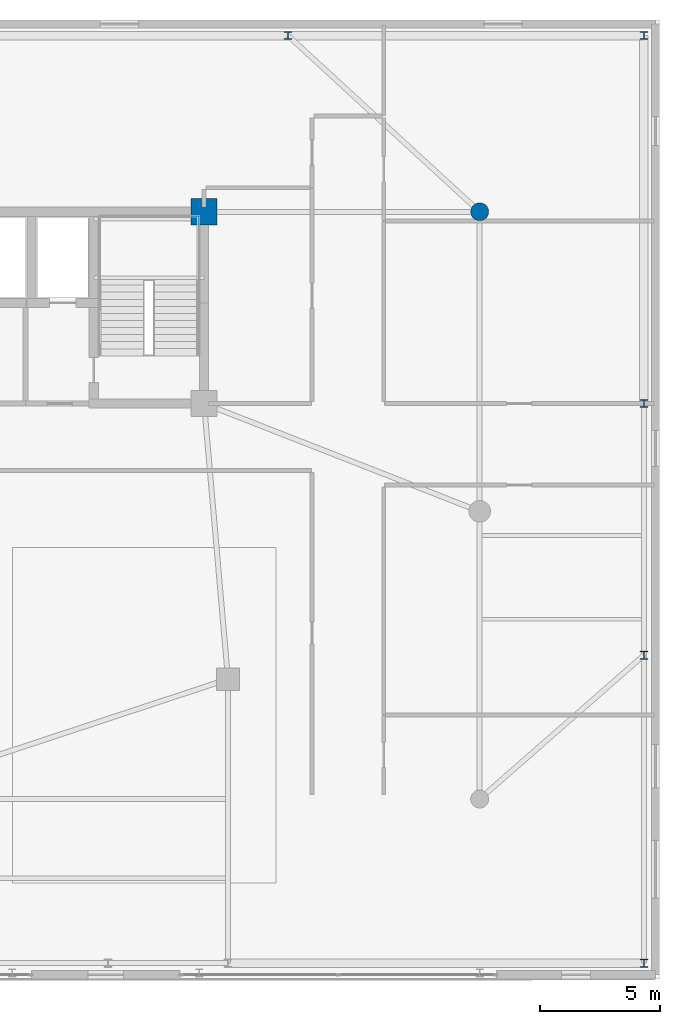
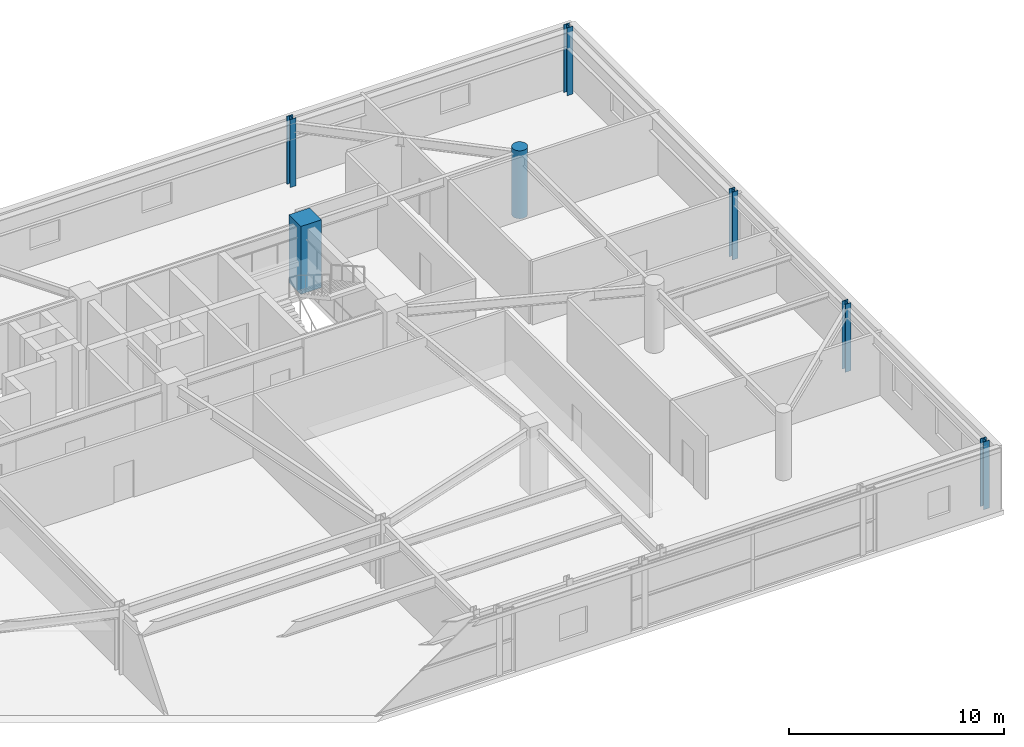
# One storey, part 5 of 26: 7 columns.
"""IFC4 building model written with IfcOpenShell, lengths in metres."""

from ifc_helpers import new_model, si_unit, direction, frame, origin, origin_2d, place, context, subcontext, project, spatial, rectangle, circle, i_section, extrude, source, transform, mapped, material, material_profile, profile_set, type_object, element, save


model = new_model("IFC4")

# Units and contexts
model_context = context("Model", 3, precision=1e-05, world=origin(), true_north=direction((0.0, 1.0)))
body_context = subcontext(model_context, "Body", "Model", "MODEL_VIEW")
ifc_project = project(units=[si_unit("LENGTHUNIT", "METRE"), si_unit("AREAUNIT", "SQUARE_METRE"), si_unit("VOLUMEUNIT", "CUBIC_METRE"), si_unit("PLANEANGLEUNIT", "RADIAN"), si_unit("MASSUNIT", "GRAM", prefix="KILO")], contexts=[model_context])

# Site, building, storey
site_placement = place(None, origin())
site = spatial("IfcSite", under=ifc_project, at=site_placement, CompositionType="ELEMENT")
building_placement = place(site_placement, origin())
building = spatial("IfcBuilding", under=site, at=building_placement, Name="Taldren Reach Tower", CompositionType="ELEMENT")
storey_placement = place(building_placement, frame((0.0, 0.0, 4.550048828125)))
storey = spatial("IfcBuildingStorey", under=building, at=storey_placement, Name="L01", CompositionType="ELEMENT", Elevation=4.550048828125)

# Columns
ifc_material_1 = material(Name="Concrete S100 (100 MPa)", Category="concrete")
ifc_material_profile_1 = material_profile(ifc_material_1, rectangle(XDim=1.10009765625, YDim=1.10009765625, at=origin_2d()), Name="RC-1100x1100")
ifc_profile_set_1 = profile_set([ifc_material_profile_1], Name="Concrete S100 (100 MPa)")
column_type_1 = type_object("IfcColumnType", Name="COL-RC1100", PredefinedType="COLUMN", material=ifc_profile_set_1)
shared_shape_1 = source(origin(), body_context, "Body", "SweptSolid", [
    extrude(rectangle(XDim=1.10009765625, YDim=1.10009765625, at=origin_2d()), origin(), (0.0, 0.0, 1.0), 3.849853515625),
])
column_1_placement = place(storey_placement, frame((51.0, 32.0, 0.0), z_axis=(0.0, 0.0, 1.0), x_axis=(1.0, 0.0, 0.0)))
element("IfcColumn", 1, at=column_1_placement, inside=storey, type_object=column_type_1, Name="Mega column MC-C8 L01", PredefinedType="COLUMN", context=body_context, shape_type="MappedRepresentation", body=[
    mapped(shared_shape_1, transform((0.0, 0.0, 0.0), scale=1.0)),
])
ifc_material_2 = material(Name="Concrete S65 (65 MPa)", Category="concrete")
ifc_material_profile_2 = material_profile(ifc_material_2, circle(Radius=0.375, at=origin_2d()), Name="RC-750D")
ifc_profile_set_2 = profile_set([ifc_material_profile_2], Name="Concrete S65 (65 MPa)")
column_type_2 = type_object("IfcColumnType", Name="COL-RCD750", PredefinedType="COLUMN", material=ifc_profile_set_2)
shared_shape_2 = source(origin(), body_context, "Body", "SweptSolid", [
    extrude(circle(Radius=0.375, at=origin_2d()), origin(), (0.0, 0.0, 1.0), 3.849853515625),
])
column_2_placement = place(storey_placement, frame((62.5, 32.0, 0.0), z_axis=(0.0, 0.0, 1.0), x_axis=(1.0, 0.0, 0.0)))
element("IfcColumn", 2, at=column_2_placement, inside=storey, type_object=column_type_2, Name="Podium structural column PG-6 L01", PredefinedType="COLUMN", context=body_context, shape_type="MappedRepresentation", body=[
    mapped(shared_shape_2, transform((0.0, 0.0, 0.0), scale=1.0)),
])
ifc_material_3 = material(Name="Steel Gr 350 (350PLUS)", Category="steel")
ifc_material_profile_3 = material_profile(ifc_material_3, i_section(OverallWidth=0.31103515625, OverallDepth=0.326904296875, WebThickness=0.015625, FlangeThickness=0.02490234375, at=origin_2d()), Name="310UC158")
ifc_profile_set_3 = profile_set([ifc_material_profile_3], Name="Steel Gr 350 (350PLUS)")
column_type_3 = type_object("IfcColumnType", Name="COL-UC310A", PredefinedType="COLUMN", material=ifc_profile_set_3)
shared_shape_3 = source(origin(), body_context, "Body", "SweptSolid", [
    extrude(i_section(OverallWidth=0.31103515625, OverallDepth=0.326904296875, WebThickness=0.015625, FlangeThickness=0.02490234375, at=origin_2d()), origin(), (0.0, 0.0, 1.0), 3.849853515625),
])
for number, where, z_axis, x_axis, name in (
    (3, (69.35009765625, 0.64990234375, 0.0), (0.0, 0.0, 1.0), (1.0, 0.0, 0.0), "Podium structural column PP-E1 L01"),
    (4, (69.35009765625, 13.5, 0.0), (0.0, 0.0, 1.0), (1.0, 0.0, 0.0), "Podium structural column PP-E2 L01"),
    (5, (69.35009765625, 24.0, 0.0), (0.0, 0.0, 1.0), (1.0, 0.0, 0.0), "Podium structural column PP-E3 L01"),
    (6, (69.35009765625, 39.35009765625, 0.0), (0.0, 0.0, 1.0), (1.0, 0.0, 0.0), "Podium structural column PP-E4 L01"),
    (7, (54.5, 39.35009765625, 0.0), (0.0, 0.0, 1.0), (1.0, 0.0, 0.0), "Podium structural column PP-N3 L01"),
):
    element("IfcColumn", number, at=place(storey_placement, frame(where, z_axis=z_axis, x_axis=x_axis)), inside=storey, type_object=column_type_3, Name=name, PredefinedType="COLUMN", context=body_context, shape_type="MappedRepresentation", body=[
        mapped(shared_shape_3, transform((0.0, 0.0, 0.0), scale=1.0)),
    ])

save(model, "model.ifc")
